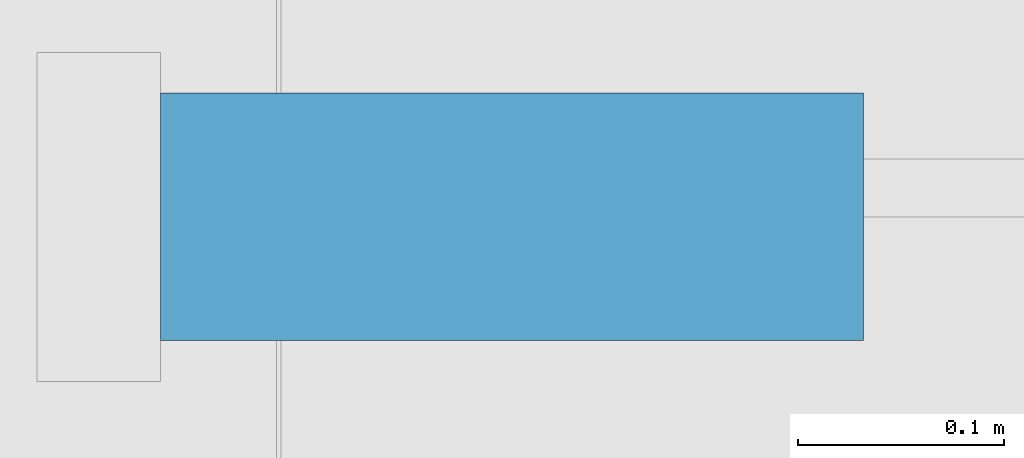
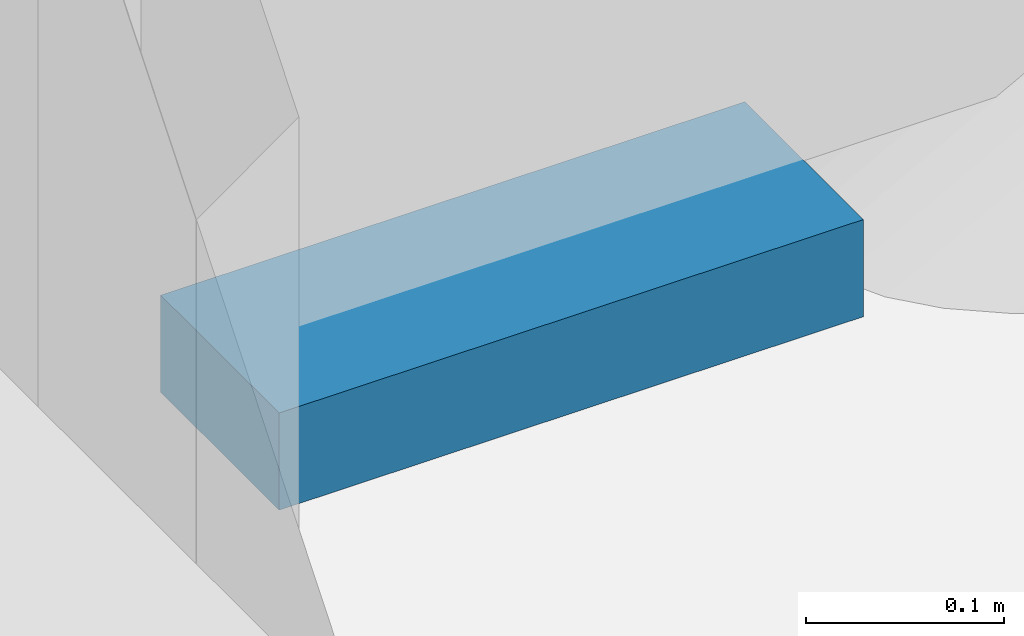
# One storey, part 67 of 121: 1 member, 1 element without a shape of its own.
"""IFC4 building model written with IfcOpenShell, lengths in metres."""

from ifc_helpers import new_model, si_unit, direction, frame, origin, origin_2d, place, context, subcontext, project, spatial, rectangle, extrude, material, layer, layer_set, material_profile, profile_set, type_object, element, aggregate, save


model = new_model("IFC4")

# Units and contexts
model_context = context("Model", 3, precision=1e-05, world=origin(), true_north=direction((0.0, 1.0)))
body_context = subcontext(model_context, "Body", "Model", "MODEL_VIEW")
ifc_project = project(units=[si_unit("LENGTHUNIT", "METRE"), si_unit("AREAUNIT", "SQUARE_METRE"), si_unit("VOLUMEUNIT", "CUBIC_METRE"), si_unit("PLANEANGLEUNIT", "RADIAN"), si_unit("MASSUNIT", "GRAM", prefix="KILO")], contexts=[model_context])

# Site, building, storey
site_placement = place(None, origin())
site = spatial("IfcSite", under=ifc_project, at=site_placement, CompositionType="ELEMENT")
building_placement = place(site_placement, origin())
building = spatial("IfcBuilding", under=site, at=building_placement, Name="Ardhachandra Cancer Care Centre", CompositionType="ELEMENT")
storey_placement = place(building_placement, frame((0.0, 0.0, 9.0)))
storey = spatial("IfcBuildingStorey", under=building, at=storey_placement, Name="L02", CompositionType="ELEMENT", Elevation=9.0)

# Curtain wall, member
ifc_material_1 = material(Name="Aluminium extrusion", Category="aluminium")
ifc_layer = layer(ifc_material_1, 0.14990234375)
ifc_layer_set = layer_set([ifc_layer], Name="Aluminium extrusion")
curtain_wall_type = type_object("IfcCurtainWallType", Name="Curtain wall run", PredefinedType="NOTDEFINED", material=ifc_layer_set)
curtain_wall_placement = place(storey_placement, origin())
curtain_wall = element("IfcCurtainWall", 1, at=curtain_wall_placement, inside=storey, type_object=curtain_wall_type, Name="Curtain wall L02 n/0120000_0105000", PredefinedType="NOTDEFINED")
ifc_material_2 = material(Name="Aluminium extrusion", Category="aluminium")
ifc_material_profile = material_profile(ifc_material_2, rectangle(XDim=0.1201171875, YDim=0.06005859375, at=origin_2d()), Name="Curtain wall transom 60 x 120")
ifc_profile_set = profile_set([ifc_material_profile], Name="Aluminium extrusion")
member_type = type_object("IfcMemberType", Name="Curtain wall transom 60 x 120", PredefinedType="USERDEFINED", material=ifc_profile_set)
member_placement = place(storey_placement, frame((120.06005859375, 105.0, 0.030029296875), z_axis=(1.0, 0.0, 0.0), x_axis=(0.0, 1.0, 0.0)))
member = element("IfcMember", 2, at=member_placement, type_object=member_type, Name="CW transom 1.1", ObjectType="TRANSOM", PredefinedType="USERDEFINED", context=body_context, shape_type="SweptSolid", body=[
    extrude(rectangle(XDim=0.1201171875, YDim=0.06005859375, at=origin_2d()), origin(), (0.0, 0.0, 1.0), 0.341552734375),
])
aggregate(curtain_wall, [member])

save(model, "model.ifc")
